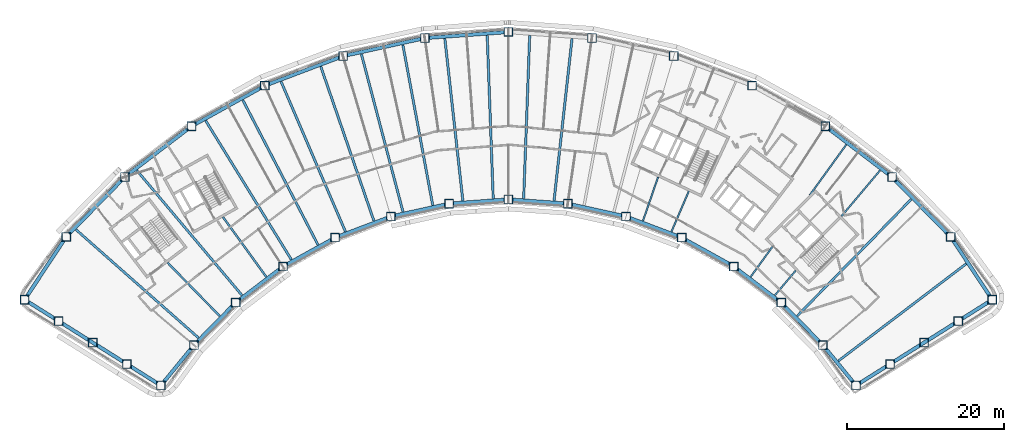
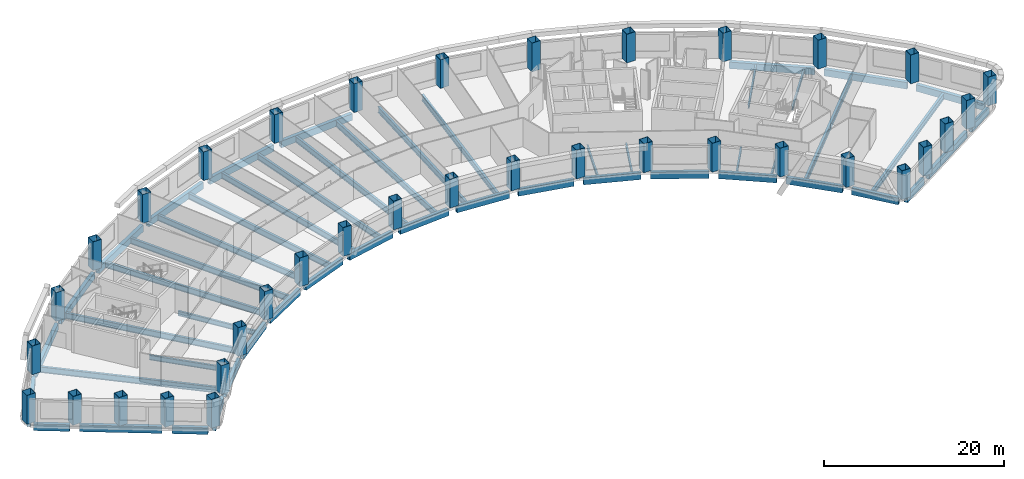
# One storey, part 1 of 11: 52 beams, 36 columns.
"""IFC4 building model written with IfcOpenShell, lengths in metres."""

from ifc_helpers import new_model, si_unit, direction, frame, origin, origin_2d, place, context, subcontext, project, spatial, hollow_rectangle, i_section, extrude, material, material_profile, profile_set, type_object, element, save


model = new_model("IFC4")

# Units and contexts
model_context = context("Model", 3, precision=1e-05, world=origin(), true_north=direction((0.0, 1.0)))
body_context = subcontext(model_context, "Body", "Model", "MODEL_VIEW")
ifc_project = project(units=[si_unit("LENGTHUNIT", "METRE"), si_unit("AREAUNIT", "SQUARE_METRE"), si_unit("VOLUMEUNIT", "CUBIC_METRE"), si_unit("PLANEANGLEUNIT", "RADIAN"), si_unit("MASSUNIT", "GRAM", prefix="KILO")], contexts=[model_context])

# Site, building, storey
site_placement = place(None, origin())
site = spatial("IfcSite", under=ifc_project, at=site_placement, CompositionType="ELEMENT")
building_placement = place(site_placement, origin())
building = spatial("IfcBuilding", under=site, at=building_placement, Name="Tuul Gate Civic Tower", CompositionType="ELEMENT")
storey_placement = place(building_placement, frame((0.0, 0.0, 120.300048828125)))
storey = spatial("IfcBuildingStorey", under=building, at=storey_placement, Name="Level 27", CompositionType="ELEMENT", Elevation=120.300048828125)

# Columns
ifc_material_1 = material(Name="Steel S355", Category="steel")
ifc_material_profile_1 = material_profile(ifc_material_1, hollow_rectangle(XDim=1.10009765625, YDim=1.10009765625, WallThickness=0.035888671875, at=origin_2d()), Name="BOX1100x1100x36")
ifc_profile_set_1 = profile_set([ifc_material_profile_1], Name="Steel S355")
column_type = type_object("IfcColumnType", Name="STR-COLUMN-BOX1100x1100x36", PredefinedType="COLUMN", material=ifc_profile_set_1)
for number, where, z_axis, x_axis, name in (
    (1, (71.5, -20.44189453125, 0.0), (0.0, 0.0, 1.0), (1.0, 0.0, 0.0), "Column"),
    (2, (66.200927734375, -12.428955078125, 0.0), (0.0, 0.0, 1.0), (1.0, 0.0, 0.0), "Column"),
    (3, (58.72607421875, -4.803955078125, 0.0), (0.0, 0.0, 1.0), (1.0, 0.0, 0.0), "Column"),
    (4, (50.23095703125, 1.6640625, 0.0), (0.0, 0.0, 1.0), (1.0, 0.0, 0.0), "Column"),
    (5, (40.89306640625, 6.840087890625, 0.0), (0.0, 0.0, 1.0), (1.0, 0.0, 0.0), "Column"),
    (6, (30.905029296875, 10.616943359375, 0.0), (0.0, 0.0, 1.0), (1.0, 0.0, 0.0), "Column"),
    (7, (20.47802734375, 12.9150390625, 0.0), (0.0, 0.0, 1.0), (1.0, 0.0, 0.0), "Column"),
    (8, (9.8291015625, 13.68603515625, 0.0), (0.0, 0.0, 1.0), (1.0, 0.0, 0.0), "Column"),
    (9, (-0.821044921875, 12.9150390625, 0.0), (0.0, 0.0, 1.0), (1.0, 0.0, 0.0), "Column"),
    (10, (-11.248046875, 10.616943359375, 0.0), (0.0, 0.0, 1.0), (1.0, 0.0, 0.0), "Column"),
    (11, (-21.235107421875, 6.840087890625, 0.0), (0.0, 0.0, 1.0), (1.0, 0.0, 0.0), "Column"),
    (12, (-30.573974609375, 1.6640625, 0.0), (0.0, 0.0, 1.0), (1.0, 0.0, 0.0), "Column"),
    (13, (-39.069091796875, -4.803955078125, 0.0), (0.0, 0.0, 1.0), (1.0, 0.0, 0.0), "Column"),
    (14, (-46.54296875, -12.428955078125, 0.0), (0.0, 0.0, 1.0), (1.0, 0.0, 0.0), "Column"),
    (15, (-51.842041015625, -20.44189453125, 0.0), (0.0, 0.0, 1.0), (1.0, 0.0, 0.0), "Column"),
    (16, (-47.5, -23.176025390625, 0.0), (0.0, 0.0, 1.0), (1.0, 0.0, 0.0), "Column"),
    (17, (-43.156982421875, -25.910888671875, 0.0), (0.0, 0.0, 1.0), (1.0, 0.0, 0.0), "Column"),
    (18, (-38.81494140625, -28.64599609375, 0.0), (0.0, 0.0, 1.0), (1.0, 0.0, 0.0), "Column"),
    (19, (-34.471923828125, -31.3798828125, 0.0), (0.0, 0.0, 1.0), (1.0, 0.0, 0.0), "Column"),
    (20, (-30.251953125, -26.238037109375, 0.0), (0.0, 0.0, 1.0), (1.0, 0.0, 0.0), "Column"),
    (21, (-24.93798828125, -20.81689453125, 0.0), (0.0, 0.0, 1.0), (1.0, 0.0, 0.0), "Column"),
    (22, (-18.89794921875, -16.218017578125, 0.0), (0.0, 0.0, 1.0), (1.0, 0.0, 0.0), "Column"),
    (23, (-12.258056640625, -12.537109375, 0.0), (0.0, 0.0, 1.0), (1.0, 0.0, 0.0), "Column"),
    (24, (-5.156982421875, -9.85205078125, 0.0), (0.0, 0.0, 1.0), (1.0, 0.0, 0.0), "Column"),
    (25, (2.257080078125, -8.218017578125, 0.0), (0.0, 0.0, 1.0), (1.0, 0.0, 0.0), "Column"),
    (26, (9.8291015625, -7.6689453125, 0.0), (0.0, 0.0, 1.0), (1.0, 0.0, 0.0), "Column"),
    (27, (17.40087890625, -8.218017578125, 0.0), (0.0, 0.0, 1.0), (1.0, 0.0, 0.0), "Column"),
    (28, (24.81494140625, -9.85205078125, 0.0), (0.0, 0.0, 1.0), (1.0, 0.0, 0.0), "Column"),
    (29, (31.9150390625, -12.537109375, 0.0), (0.0, 0.0, 1.0), (1.0, 0.0, 0.0), "Column"),
    (30, (38.554931640625, -16.218017578125, 0.0), (0.0, 0.0, 1.0), (1.0, 0.0, 0.0), "Column"),
    (31, (44.595947265625, -20.81689453125, 0.0), (0.0, 0.0, 1.0), (1.0, 0.0, 0.0), "Column"),
    (32, (49.909912109375, -26.238037109375, 0.0), (0.0, 0.0, 1.0), (1.0, 0.0, 0.0), "Column"),
    (33, (54.1298828125, -31.3798828125, 0.0), (0.0, 0.0, 1.0), (1.0, 0.0, 0.0), "Column"),
    (34, (58.471923828125, -28.64599609375, 0.0), (0.0, 0.0, 1.0), (1.0, 0.0, 0.0), "Column"),
    (35, (62.81494140625, -25.910888671875, 0.0), (0.0, 0.0, 1.0), (1.0, 0.0, 0.0), "Column"),
    (36, (67.156982421875, -23.176025390625, 0.0), (0.0, 0.0, 1.0), (1.0, 0.0, 0.0), "Column"),
):
    element("IfcColumn", number, at=place(storey_placement, frame(where, z_axis=z_axis, x_axis=x_axis)), inside=storey, type_object=column_type, Name=name, PredefinedType="COLUMN", context=body_context, shape_type="SweptSolid", body=[
        extrude(hollow_rectangle(XDim=1.10009765625, YDim=1.10009765625, WallThickness=0.035888671875, at=origin_2d()), origin(), (0.0, 0.0, 1.0), 3.89990234375),
    ])

# Beams
ifc_material_2 = material(Name="Steel S355", Category="steel")
ifc_material_profile_2 = material_profile(ifc_material_2, i_section(OverallWidth=0.199951171875, OverallDepth=0.5, WebThickness=0.010009765625, FlangeThickness=0.01611328125, at=origin_2d()), Name="PG500x200x10x16")
ifc_profile_set_2 = profile_set([ifc_material_profile_2], Name="Steel S355")
beam_type_1 = type_object("IfcBeamType", Name="STR-FLOOR BEAM-PG500x200x10x16", PredefinedType="BEAM", material=ifc_profile_set_2)
beam_1_placement = place(storey_placement, frame((43.78662109375, -19.88671875, -0.550048828125), z_axis=(0.644164873832, 0.764886668286, 0.0), x_axis=(-0.764886668286, 0.644164873832, 0.0)))
element("IfcBeam", 37, at=beam_1_placement, inside=storey, type_object=beam_type_1, Name="Floor beam", PredefinedType="BEAM", context=body_context, shape_type="SweptSolid", body=[
    extrude(i_section(OverallWidth=0.199951171875, OverallDepth=0.5, WebThickness=0.010009765625, FlangeThickness=0.01611328125, at=origin_2d()), origin(), (0.0, 0.0, 1.0), 4.129638671875),
])
beam_2_placement = place(storey_placement, frame((52.270263671875, -9.812255859375, -0.550048828125), z_axis=(0.644131817174, 0.764914506402, 0.0), x_axis=(-0.764914506402, 0.644131817174, 0.0)))
element("IfcBeam", 38, at=beam_2_placement, inside=storey, type_object=beam_type_1, Name="Floor beam", PredefinedType="BEAM", context=body_context, shape_type="SweptSolid", body=[
    extrude(i_section(OverallWidth=0.199951171875, OverallDepth=0.5, WebThickness=0.010009765625, FlangeThickness=0.01611328125, at=origin_2d()), origin(), (0.0, 0.0, 1.0), 7.65478515625),
])
beam_3_placement = place(storey_placement, frame((40.6982421875, -17.535400390625, -0.550048828125), z_axis=(0.586092436702, 0.810244195068, 0.0), x_axis=(-0.810244195068, 0.586092436702, 0.0)))
element("IfcBeam", 39, at=beam_3_placement, inside=storey, type_object=beam_type_1, Name="Floor beam", PredefinedType="BEAM", context=body_context, shape_type="SweptSolid", body=[
    extrude(i_section(OverallWidth=0.199951171875, OverallDepth=0.5, WebThickness=0.010009765625, FlangeThickness=0.01611328125, at=origin_2d()), origin(), (0.0, 0.0, 1.0), 4.73779296875),
])
beam_4_placement = place(storey_placement, frame((48.2353515625, -7.11572265625, -0.550048828125), z_axis=(0.586078163081, 0.810254519741, 0.0), x_axis=(-0.810254519741, 0.586078163081, 0.0)))
element("IfcBeam", 40, at=beam_4_placement, inside=storey, type_object=beam_type_1, Name="Floor beam", PredefinedType="BEAM", context=body_context, shape_type="SweptSolid", body=[
    extrude(i_section(OverallWidth=0.199951171875, OverallDepth=0.5, WebThickness=0.010009765625, FlangeThickness=0.01611328125, at=origin_2d()), origin(), (0.0, 0.0, 1.0), 7.94677734375),
])
beam_5_placement = place(storey_placement, frame((30.60546875, -11.7744140625, -0.550048828125), z_axis=(0.394202846621, 0.919023457653, 0.0), x_axis=(-0.919023457653, 0.394202846621, 0.0)))
element("IfcBeam", 41, at=beam_5_placement, inside=storey, type_object=beam_type_1, Name="Floor beam", PredefinedType="BEAM", context=body_context, shape_type="SweptSolid", body=[
    extrude(i_section(OverallWidth=0.199951171875, OverallDepth=0.5, WebThickness=0.010009765625, FlangeThickness=0.01611328125, at=origin_2d()), origin(), (0.0, 0.0, 1.0), 5.611083984375),
])
beam_6_placement = place(storey_placement, frame((26.97509765625, -10.401611328125, -0.550048828125), z_axis=(0.325486996398, 0.945546516664, 0.0), x_axis=(-0.945546516664, 0.325486996398, 0.0)))
element("IfcBeam", 42, at=beam_6_placement, inside=storey, type_object=beam_type_1, Name="Floor beam", PredefinedType="BEAM", context=body_context, shape_type="SweptSolid", body=[
    extrude(i_section(OverallWidth=0.199951171875, OverallDepth=0.5, WebThickness=0.010009765625, FlangeThickness=0.01611328125, at=origin_2d()), origin(), (0.0, 0.0, 1.0), 5.930908203125),
])
ifc_material_3 = material(Name="Steel S355", Category="steel")
ifc_material_profile_3 = material_profile(ifc_material_3, i_section(OverallWidth=0.25, OverallDepth=0.64990234375, WebThickness=0.011962890625, FlangeThickness=0.02001953125, at=origin_2d()), Name="PG650x250x12x20")
ifc_profile_set_3 = profile_set([ifc_material_profile_3], Name="Steel S355")
beam_type_2 = type_object("IfcBeamType", Name="STR-FLOOR BEAM-PG650x250x12x20", PredefinedType="BEAM", material=ifc_profile_set_3)
beam_7_placement = place(storey_placement, frame((-21.040771484375, -17.53515625, -0.625), z_axis=(-0.586071957424, 0.810259008417, 0.0), x_axis=(-0.810259008417, -0.586071957424, 0.0)))
element("IfcBeam", 43, at=beam_7_placement, inside=storey, type_object=beam_type_2, Name="Floor beam", PredefinedType="BEAM", context=body_context, shape_type="SweptSolid", body=[
    extrude(i_section(OverallWidth=0.25, OverallDepth=0.64990234375, WebThickness=0.011962890625, FlangeThickness=0.02001953125, at=origin_2d()), origin(), (0.0, 0.0, 1.0), 9.4111328125),
])
beam_8_placement = place(storey_placement, frame((-26.96923828125, -22.531982421875, -0.625), z_axis=(-0.698693179665, 0.715421442711, 0.0), x_axis=(-0.715421442711, -0.698693179665, 0.0)))
element("IfcBeam", 44, at=beam_8_placement, inside=storey, type_object=beam_type_2, Name="Floor beam", PredefinedType="BEAM", context=body_context, shape_type="SweptSolid", body=[
    extrude(i_section(OverallWidth=0.25, OverallDepth=0.64990234375, WebThickness=0.011962890625, FlangeThickness=0.02001953125, at=origin_2d()), origin(), (0.0, 0.0, 1.0), 9.5302734375),
])
ifc_material_4 = material(Name="Steel S355", Category="steel")
ifc_material_profile_4 = material_profile(ifc_material_4, i_section(OverallWidth=0.300048828125, OverallDepth=0.800048828125, WebThickness=0.013916015625, FlangeThickness=0.02490234375, at=origin_2d()), Name="PG800x300x14x25")
ifc_profile_set_4 = profile_set([ifc_material_profile_4], Name="Steel S355")
beam_type_3 = type_object("IfcBeamType", Name="STR-FLOOR BEAM-PG800x300x14x25", PredefinedType="BEAM", material=ifc_profile_set_4)
beam_9_placement = place(storey_placement, frame((51.8837890625, -28.2490234375, -0.699951171875), z_axis=(0.796146559843, 0.605103838403, 0.0), x_axis=(-0.605103838403, 0.796146559843, 0.0)))
element("IfcBeam", 45, at=beam_9_placement, inside=storey, type_object=beam_type_3, Name="Floor beam", PredefinedType="BEAM", context=body_context, shape_type="SweptSolid", body=[
    extrude(i_section(OverallWidth=0.300048828125, OverallDepth=0.800048828125, WebThickness=0.013916015625, FlangeThickness=0.02490234375, at=origin_2d()), origin(), (0.0, 0.0, 1.0), 20.46240234375),
])
beam_10_placement = place(storey_placement, frame((46.627197265625, -22.531982421875, -0.699951171875), z_axis=(0.698684495675, 0.715429923544, 0.0), x_axis=(-0.715429923544, 0.698684495675, 0.0)))
element("IfcBeam", 46, at=beam_10_placement, inside=storey, type_object=beam_type_3, Name="Floor beam", PredefinedType="BEAM", context=body_context, shape_type="SweptSolid", body=[
    extrude(i_section(OverallWidth=0.300048828125, OverallDepth=0.800048828125, WebThickness=0.013916015625, FlangeThickness=0.02490234375, at=origin_2d()), origin(), (0.0, 0.0, 1.0), 20.804931640625),
])
beam_11_placement = place(storey_placement, frame((15.64013671875, -7.839599609375, -0.699951171875), z_axis=(0.110288630292, 0.993899601584, 0.0), x_axis=(-0.993899601584, 0.110288630292, 0.0)))
element("IfcBeam", 47, at=beam_11_placement, inside=storey, type_object=beam_type_3, Name="Floor beam", PredefinedType="BEAM", context=body_context, shape_type="SweptSolid", body=[
    extrude(i_section(OverallWidth=0.300048828125, OverallDepth=0.800048828125, WebThickness=0.013916015625, FlangeThickness=0.02490234375, at=origin_2d()), origin(), (0.0, 0.0, 1.0), 20.81494140625),
])
for number, where, z_axis, x_axis, name in (
    (48, (11.769287109375, -7.55908203125, -0.699951171875), (0.036833774102, 0.999321406298, 0.0), (-0.999321406298, 0.036833774102, 0.0), "Floor beam"),
    (49, (7.888427734375, -7.55908203125, -0.699951171875), (-0.036822059508, 0.999321838015, 0.0), (-0.999321838015, -0.036822059508, 0.0), "Floor beam"),
):
    element("IfcBeam", number, at=place(storey_placement, frame(where, z_axis=z_axis, x_axis=x_axis)), inside=storey, type_object=beam_type_3, Name=name, PredefinedType="BEAM", context=body_context, shape_type="SweptSolid", body=[
        extrude(i_section(OverallWidth=0.300048828125, OverallDepth=0.800048828125, WebThickness=0.013916015625, FlangeThickness=0.02490234375, at=origin_2d()), origin(), (0.0, 0.0, 1.0), 20.8125),
    ])
beam_12_placement = place(storey_placement, frame((4.017578125, -7.839599609375, -0.699951171875), z_axis=(-0.110277043848, 0.993900887212, 0.0), x_axis=(-0.993900887212, -0.110277043848, 0.0)))
element("IfcBeam", 50, at=beam_12_placement, inside=storey, type_object=beam_type_3, Name="Floor beam", PredefinedType="BEAM", context=body_context, shape_type="SweptSolid", body=[
    extrude(i_section(OverallWidth=0.300048828125, OverallDepth=0.800048828125, WebThickness=0.013916015625, FlangeThickness=0.02490234375, at=origin_2d()), origin(), (0.0, 0.0, 1.0), 20.81494140625),
])
beam_13_placement = place(storey_placement, frame((0.180419921875, -8.419677734375, -0.699951171875), z_axis=(-0.183145230157, 0.983085868412, 0.0), x_axis=(-0.983085868412, -0.183145230157, 0.0)))
element("IfcBeam", 51, at=beam_13_placement, inside=storey, type_object=beam_type_3, Name="Floor beam", PredefinedType="BEAM", context=body_context, shape_type="SweptSolid", body=[
    extrude(i_section(OverallWidth=0.300048828125, OverallDepth=0.800048828125, WebThickness=0.013916015625, FlangeThickness=0.02490234375, at=origin_2d()), origin(), (0.0, 0.0, 1.0), 20.8115234375),
])
beam_14_placement = place(storey_placement, frame((-3.609619140625, -9.2548828125, -0.699951171875), z_axis=(-0.255004720301, 0.96693980817, 0.0), x_axis=(-0.96693980817, -0.255004720301, 0.0)))
element("IfcBeam", 52, at=beam_14_placement, inside=storey, type_object=beam_type_3, Name="Floor beam", PredefinedType="BEAM", context=body_context, shape_type="SweptSolid", body=[
    extrude(i_section(OverallWidth=0.300048828125, OverallDepth=0.800048828125, WebThickness=0.013916015625, FlangeThickness=0.02490234375, at=origin_2d()), origin(), (0.0, 0.0, 1.0), 20.817626953125),
])
beam_15_placement = place(storey_placement, frame((-7.3173828125, -10.401611328125, -0.699951171875), z_axis=(-0.325486974479, 0.945546524209, 0.0), x_axis=(-0.945546524209, -0.325486974479, 0.0)))
element("IfcBeam", 53, at=beam_15_placement, inside=storey, type_object=beam_type_3, Name="Floor beam", PredefinedType="BEAM", context=body_context, shape_type="SweptSolid", body=[
    extrude(i_section(OverallWidth=0.300048828125, OverallDepth=0.800048828125, WebThickness=0.013916015625, FlangeThickness=0.02490234375, at=origin_2d()), origin(), (0.0, 0.0, 1.0), 20.809326171875),
])
beam_16_placement = place(storey_placement, frame((-10.94775390625, -11.774169921875, -0.699951171875), z_axis=(-0.394200920337, 0.919024283904, 0.0), x_axis=(-0.919024283904, -0.394200920337, 0.0)))
element("IfcBeam", 54, at=beam_16_placement, inside=storey, type_object=beam_type_3, Name="Floor beam", PredefinedType="BEAM", context=body_context, shape_type="SweptSolid", body=[
    extrude(i_section(OverallWidth=0.300048828125, OverallDepth=0.800048828125, WebThickness=0.013916015625, FlangeThickness=0.02490234375, at=origin_2d()), origin(), (0.0, 0.0, 1.0), 20.8193359375),
])
beam_17_placement = place(storey_placement, frame((-14.442626953125, -13.462158203125, -0.699951171875), z_axis=(-0.460777059353, 0.887515916237, 0.0), x_axis=(-0.887515916237, -0.460777059353, 0.0)))
element("IfcBeam", 55, at=beam_17_placement, inside=storey, type_object=beam_type_3, Name="Floor beam", PredefinedType="BEAM", context=body_context, shape_type="SweptSolid", body=[
    extrude(i_section(OverallWidth=0.300048828125, OverallDepth=0.800048828125, WebThickness=0.013916015625, FlangeThickness=0.02490234375, at=origin_2d()), origin(), (0.0, 0.0, 1.0), 20.8076171875),
])
beam_18_placement = place(storey_placement, frame((-17.837158203125, -15.343994140625, -0.699951171875), z_axis=(-0.524856706834, 0.851190599861, 0.0), x_axis=(-0.851190599861, -0.524856706834, 0.0)))
element("IfcBeam", 56, at=beam_18_placement, inside=storey, type_object=beam_type_3, Name="Floor beam", PredefinedType="BEAM", context=body_context, shape_type="SweptSolid", body=[
    extrude(i_section(OverallWidth=0.300048828125, OverallDepth=0.800048828125, WebThickness=0.013916015625, FlangeThickness=0.02490234375, at=origin_2d()), origin(), (0.0, 0.0, 1.0), 20.82275390625),
])
beam_19_placement = place(storey_placement, frame((-24.12890625, -19.88671875, -0.699951171875), z_axis=(-0.644132135775, 0.764914238109, 0.0), x_axis=(-0.764914238109, -0.644132135775, 0.0)))
element("IfcBeam", 57, at=beam_19_placement, inside=storey, type_object=beam_type_3, Name="Floor beam", PredefinedType="BEAM", context=body_context, shape_type="SweptSolid", body=[
    extrude(i_section(OverallWidth=0.300048828125, OverallDepth=0.800048828125, WebThickness=0.013916015625, FlangeThickness=0.02490234375, at=origin_2d()), origin(), (0.0, 0.0, 1.0), 20.82568359375),
])
beam_20_placement = place(storey_placement, frame((-29.686767578125, -25.30419921875, -0.699951171875), z_axis=(-0.749447427269, 0.662063859277, 0.0), x_axis=(-0.662063859277, -0.749447427269, 0.0)))
element("IfcBeam", 58, at=beam_20_placement, inside=storey, type_object=beam_type_3, Name="Floor beam", PredefinedType="BEAM", context=body_context, shape_type="SweptSolid", body=[
    extrude(i_section(OverallWidth=0.300048828125, OverallDepth=0.800048828125, WebThickness=0.013916015625, FlangeThickness=0.02490234375, at=origin_2d()), origin(), (0.0, 0.0, 1.0), 20.82861328125),
])
ifc_material_5 = material(Name="Steel S355", Category="steel")
ifc_material_profile_5 = material_profile(ifc_material_5, hollow_rectangle(XDim=0.449951171875, YDim=0.89990234375, WallThickness=0.02490234375, at=origin_2d()), Name="BOX900x450x25")
ifc_profile_set_5 = profile_set([ifc_material_profile_5], Name="Steel S355")
beam_type_4 = type_object("IfcBeamType", Name="STR-SPANDREL BEAM-BOX900x450x25", PredefinedType="BEAM", material=ifc_profile_set_5)
beam_21_placement = place(storey_placement, frame((71.196533203125, -19.983154296875, -0.75), z_axis=(-0.551590080745, 0.83411532945, 0.0), x_axis=(-0.83411532945, -0.551590080745, 0.0)))
element("IfcBeam", 59, at=beam_21_placement, inside=storey, type_object=beam_type_4, Name="Spandrel beam", PredefinedType="BEAM", context=body_context, shape_type="SweptSolid", body=[
    extrude(hollow_rectangle(XDim=0.449951171875, YDim=0.89990234375, WallThickness=0.02490234375, at=origin_2d()), origin(), (0.0, 0.0, 1.0), 8.506591796875),
])
beam_22_placement = place(storey_placement, frame((65.81591796875, -12.0361328125, -0.75), z_axis=(-0.700049238086, 0.714094576548, 0.0), x_axis=(-0.714094576548, -0.700049238086, 0.0)))
element("IfcBeam", 60, at=beam_22_placement, inside=storey, type_object=beam_type_4, Name="Spandrel beam", PredefinedType="BEAM", context=body_context, shape_type="SweptSolid", body=[
    extrude(hollow_rectangle(XDim=0.449951171875, YDim=0.89990234375, WallThickness=0.02490234375, at=origin_2d()), origin(), (0.0, 0.0, 1.0), 9.57763671875),
])
beam_23_placement = place(storey_placement, frame((58.288330078125, -4.470703125, -0.75), z_axis=(-0.795628890165, 0.605784342101, 0.0), x_axis=(-0.605784342101, -0.795628890165, 0.0)))
element("IfcBeam", 61, at=beam_23_placement, inside=storey, type_object=beam_type_4, Name="Spandrel beam", PredefinedType="BEAM", context=body_context, shape_type="SweptSolid", body=[
    extrude(hollow_rectangle(XDim=0.449951171875, YDim=0.89990234375, WallThickness=0.02490234375, at=origin_2d()), origin(), (0.0, 0.0, 1.0), 9.576904296875),
])
beam_24_placement = place(storey_placement, frame((9.280517578125, 13.646240234375, -0.75), z_axis=(-0.997391103387, -0.072187165652, 0.0), x_axis=(0.072187165652, -0.997391103387, 0.0)))
element("IfcBeam", 62, at=beam_24_placement, inside=storey, type_object=beam_type_4, Name="Spandrel beam", PredefinedType="BEAM", context=body_context, shape_type="SweptSolid", body=[
    extrude(hollow_rectangle(XDim=0.449951171875, YDim=0.89990234375, WallThickness=0.02490234375, at=origin_2d()), origin(), (0.0, 0.0, 1.0), 9.577880859375),
])
for number, where, z_axis, x_axis, name in (
    (63, (-1.358154296875, 12.796630859375, -0.75), (-0.976564052188, -0.215226977802, 0.0), (0.215226977802, -0.976564052188, 0.0), "Spandrel beam"),
    (64, (-11.762451171875, 10.42236328125, -0.75), (-0.935349182436, -0.353725750994, 0.0), (0.353725750994, -0.935349182436, 0.0), "Spandrel beam"),
):
    element("IfcBeam", number, at=place(storey_placement, frame(where, z_axis=z_axis, x_axis=x_axis)), inside=storey, type_object=beam_type_4, Name=name, PredefinedType="BEAM", context=body_context, shape_type="SweptSolid", body=[
        extrude(hollow_rectangle(XDim=0.449951171875, YDim=0.89990234375, WallThickness=0.02490234375, at=origin_2d()), origin(), (0.0, 0.0, 1.0), 9.5771484375),
    ])
beam_25_placement = place(storey_placement, frame((-21.716064453125, 6.573486328125, -0.75), z_axis=(-0.874646210848, -0.484761803208, 0.0), x_axis=(0.484761803208, -0.874646210848, 0.0)))
element("IfcBeam", 65, at=beam_25_placement, inside=storey, type_object=beam_type_4, Name="Spandrel beam", PredefinedType="BEAM", context=body_context, shape_type="SweptSolid", body=[
    extrude(hollow_rectangle(XDim=0.449951171875, YDim=0.89990234375, WallThickness=0.02490234375, at=origin_2d()), origin(), (0.0, 0.0, 1.0), 9.57763671875),
])
beam_26_placement = place(storey_placement, frame((-31.011474609375, 1.330810546875, -0.75), z_axis=(-0.795638245076, -0.605772055292, 0.0), x_axis=(0.605772055292, -0.795638245076, 0.0)))
element("IfcBeam", 66, at=beam_26_placement, inside=storey, type_object=beam_type_4, Name="Spandrel beam", PredefinedType="BEAM", context=body_context, shape_type="SweptSolid", body=[
    extrude(hollow_rectangle(XDim=0.449951171875, YDim=0.89990234375, WallThickness=0.02490234375, at=origin_2d()), origin(), (0.0, 0.0, 1.0), 9.5771484375),
])
beam_27_placement = place(storey_placement, frame((-39.4541015625, -5.19677734375, -0.75), z_axis=(-0.699997238657, -0.714145549501, 0.0), x_axis=(0.714145549501, -0.699997238657, 0.0)))
element("IfcBeam", 67, at=beam_27_placement, inside=storey, type_object=beam_type_4, Name="Spandrel beam", PredefinedType="BEAM", context=body_context, shape_type="SweptSolid", body=[
    extrude(hollow_rectangle(XDim=0.449951171875, YDim=0.89990234375, WallThickness=0.02490234375, at=origin_2d()), origin(), (0.0, 0.0, 1.0), 9.576904296875),
])
beam_28_placement = place(storey_placement, frame((-46.846435546875, -12.8876953125, -0.75), z_axis=(-0.551590080745, -0.83411532945, 0.0), x_axis=(0.83411532945, -0.551590080745, 0.0)))
element("IfcBeam", 68, at=beam_28_placement, inside=storey, type_object=beam_type_4, Name="Spandrel beam", PredefinedType="BEAM", context=body_context, shape_type="SweptSolid", body=[
    extrude(hollow_rectangle(XDim=0.449951171875, YDim=0.89990234375, WallThickness=0.02490234375, at=origin_2d()), origin(), (0.0, 0.0, 1.0), 8.506591796875),
])
beam_29_placement = place(storey_placement, frame((-51.37646484375, -20.735107421875, -0.75), z_axis=(0.846210588651, -0.532848608571, 0.0), x_axis=(0.532848608571, 0.846210588651, 0.0)))
element("IfcBeam", 69, at=beam_29_placement, inside=storey, type_object=beam_type_4, Name="Spandrel beam", PredefinedType="BEAM", context=body_context, shape_type="SweptSolid", body=[
    extrude(hollow_rectangle(XDim=0.449951171875, YDim=0.89990234375, WallThickness=0.02490234375, at=origin_2d()), origin(), (0.0, 0.0, 1.0), 4.031005859375),
])
beam_30_placement = place(storey_placement, frame((-47.03466796875, -23.468994140625, -0.75), z_axis=(0.846164320765, -0.53292207898, 0.0), x_axis=(0.53292207898, 0.846164320765, 0.0)))
element("IfcBeam", 70, at=beam_30_placement, inside=storey, type_object=beam_type_4, Name="Spandrel beam", PredefinedType="BEAM", context=body_context, shape_type="SweptSolid", body=[
    extrude(hollow_rectangle(XDim=0.449951171875, YDim=0.89990234375, WallThickness=0.02490234375, at=origin_2d()), origin(), (0.0, 0.0, 1.0), 9.1640625),
])
beam_31_placement = place(storey_placement, frame((-38.349609375, -28.93896484375, -0.75), z_axis=(0.846279351523, -0.532739391435, 0.0), x_axis=(0.532739391435, 0.846279351523, 0.0)))
element("IfcBeam", 71, at=beam_31_placement, inside=storey, type_object=beam_type_4, Name="Spandrel beam", PredefinedType="BEAM", context=body_context, shape_type="SweptSolid", body=[
    extrude(hollow_rectangle(XDim=0.449951171875, YDim=0.89990234375, WallThickness=0.02490234375, at=origin_2d()), origin(), (0.0, 0.0, 1.0), 4.031982421875),
])
beam_32_placement = place(storey_placement, frame((-34.123046875, -30.954833984375, -0.75), z_axis=(0.634400839416, 0.773004252866, 0.0), x_axis=(-0.773004252866, 0.634400839416, 0.0)))
element("IfcBeam", 72, at=beam_32_placement, inside=storey, type_object=beam_type_4, Name="Spandrel beam", PredefinedType="BEAM", context=body_context, shape_type="SweptSolid", body=[
    extrude(hollow_rectangle(XDim=0.449951171875, YDim=0.89990234375, WallThickness=0.02490234375, at=origin_2d()), origin(), (0.0, 0.0, 1.0), 5.552001953125),
])
beam_33_placement = place(storey_placement, frame((-29.866943359375, -25.84521484375, -0.75), z_axis=(0.700019515807, 0.714123713014, 0.0), x_axis=(-0.714123713014, 0.700019515807, 0.0)))
element("IfcBeam", 73, at=beam_33_placement, inside=storey, type_object=beam_type_4, Name="Spandrel beam", PredefinedType="BEAM", context=body_context, shape_type="SweptSolid", body=[
    extrude(hollow_rectangle(XDim=0.449951171875, YDim=0.89990234375, WallThickness=0.02490234375, at=origin_2d()), origin(), (0.0, 0.0, 1.0), 6.4912109375),
])
beam_34_placement = place(storey_placement, frame((-24.50048828125, -20.48388671875, -0.75), z_axis=(0.795614709781, 0.605802965972, 0.0), x_axis=(-0.605802965972, 0.795614709781, 0.0)))
element("IfcBeam", 74, at=beam_34_placement, inside=storey, type_object=beam_type_4, Name="Spandrel beam", PredefinedType="BEAM", context=body_context, shape_type="SweptSolid", body=[
    extrude(hollow_rectangle(XDim=0.449951171875, YDim=0.89990234375, WallThickness=0.02490234375, at=origin_2d()), origin(), (0.0, 0.0, 1.0), 6.49169921875),
])
beam_35_placement = place(storey_placement, frame((-18.4169921875, -15.951416015625, -0.75), z_axis=(0.874596833749, 0.484850882639, 0.0), x_axis=(-0.484850882639, 0.874596833749, 0.0)))
element("IfcBeam", 75, at=beam_35_placement, inside=storey, type_object=beam_type_4, Name="Spandrel beam", PredefinedType="BEAM", context=body_context, shape_type="SweptSolid", body=[
    extrude(hollow_rectangle(XDim=0.449951171875, YDim=0.89990234375, WallThickness=0.02490234375, at=origin_2d()), origin(), (0.0, 0.0, 1.0), 6.4921875),
])
beam_36_placement = place(storey_placement, frame((-11.74365234375, -12.342529296875, -0.75), z_axis=(0.935373699363, 0.353660914635, 0.0), x_axis=(-0.353660914635, 0.935373699363, 0.0)))
element("IfcBeam", 76, at=beam_36_placement, inside=storey, type_object=beam_type_4, Name="Spandrel beam", PredefinedType="BEAM", context=body_context, shape_type="SweptSolid", body=[
    extrude(hollow_rectangle(XDim=0.449951171875, YDim=0.89990234375, WallThickness=0.02490234375, at=origin_2d()), origin(), (0.0, 0.0, 1.0), 6.49169921875),
])
for number, where, z_axis, x_axis, name in (
    (77, (-4.619873046875, -9.733642578125, -0.75), (0.976565169857, 0.215221906465, 0.0), (-0.215221906465, 0.976565169857, 0.0), "Spandrel beam"),
    (78, (2.8056640625, -8.17822265625, -0.75), (0.99738157331, 0.072318719712, 0.0), (-0.072318719712, 0.99738157331, 0.0), "Spandrel beam"),
):
    element("IfcBeam", number, at=place(storey_placement, frame(where, z_axis=z_axis, x_axis=x_axis)), inside=storey, type_object=beam_type_4, Name=name, PredefinedType="BEAM", context=body_context, shape_type="SweptSolid", body=[
        extrude(hollow_rectangle(XDim=0.449951171875, YDim=0.89990234375, WallThickness=0.02490234375, at=origin_2d()), origin(), (0.0, 0.0, 1.0), 6.491943359375),
    ])
beam_37_placement = place(storey_placement, frame((10.37744140625, -7.708740234375, -0.75), z_axis=(0.997381769985, -0.072316007227, 0.0), x_axis=(0.072316007227, 0.997381769985, 0.0)))
element("IfcBeam", 79, at=beam_37_placement, inside=storey, type_object=beam_type_4, Name="Spandrel beam", PredefinedType="BEAM", context=body_context, shape_type="SweptSolid", body=[
    extrude(hollow_rectangle(XDim=0.449951171875, YDim=0.89990234375, WallThickness=0.02490234375, at=origin_2d()), origin(), (0.0, 0.0, 1.0), 6.4921875),
])
beam_38_placement = place(storey_placement, frame((17.93798828125, -8.33642578125, -0.75), z_axis=(0.976565169857, -0.215221906465, 0.0), x_axis=(0.215221906465, 0.976565169857, 0.0)))
element("IfcBeam", 80, at=beam_38_placement, inside=storey, type_object=beam_type_4, Name="Spandrel beam", PredefinedType="BEAM", context=body_context, shape_type="SweptSolid", body=[
    extrude(hollow_rectangle(XDim=0.449951171875, YDim=0.89990234375, WallThickness=0.02490234375, at=origin_2d()), origin(), (0.0, 0.0, 1.0), 6.491943359375),
])
beam_39_placement = place(storey_placement, frame((25.329345703125, -10.046630859375, -0.75), z_axis=(0.935354880203, -0.353710684149, 0.0), x_axis=(0.353710684149, 0.935354880203, 0.0)))
element("IfcBeam", 81, at=beam_39_placement, inside=storey, type_object=beam_type_4, Name="Spandrel beam", PredefinedType="BEAM", context=body_context, shape_type="SweptSolid", body=[
    extrude(hollow_rectangle(XDim=0.449951171875, YDim=0.89990234375, WallThickness=0.02490234375, at=origin_2d()), origin(), (0.0, 0.0, 1.0), 6.490966796875),
])
beam_40_placement = place(storey_placement, frame((32.39599609375, -12.8037109375, -0.75), z_axis=(0.874596833749, -0.484850882639, 0.0), x_axis=(0.484850882639, 0.874596833749, 0.0)))
element("IfcBeam", 82, at=beam_40_placement, inside=storey, type_object=beam_type_4, Name="Spandrel beam", PredefinedType="BEAM", context=body_context, shape_type="SweptSolid", body=[
    extrude(hollow_rectangle(XDim=0.449951171875, YDim=0.89990234375, WallThickness=0.02490234375, at=origin_2d()), origin(), (0.0, 0.0, 1.0), 6.4921875),
])
beam_41_placement = place(storey_placement, frame((38.99267578125, -16.55126953125, -0.75), z_axis=(0.79566990921, -0.605730464462, 0.0), x_axis=(0.605730464462, 0.79566990921, 0.0)))
element("IfcBeam", 83, at=beam_41_placement, inside=storey, type_object=beam_type_4, Name="Spandrel beam", PredefinedType="BEAM", context=body_context, shape_type="SweptSolid", body=[
    extrude(hollow_rectangle(XDim=0.449951171875, YDim=0.89990234375, WallThickness=0.02490234375, at=origin_2d()), origin(), (0.0, 0.0, 1.0), 6.492431640625),
])
beam_42_placement = place(storey_placement, frame((44.98095703125, -21.209716796875, -0.75), z_axis=(0.700019515807, -0.714123713014, 0.0), x_axis=(0.714123713014, 0.700019515807, 0.0)))
element("IfcBeam", 84, at=beam_42_placement, inside=storey, type_object=beam_type_4, Name="Spandrel beam", PredefinedType="BEAM", context=body_context, shape_type="SweptSolid", body=[
    extrude(hollow_rectangle(XDim=0.449951171875, YDim=0.89990234375, WallThickness=0.02490234375, at=origin_2d()), origin(), (0.0, 0.0, 1.0), 6.4912109375),
])
beam_43_placement = place(storey_placement, frame((50.259033203125, -26.6630859375, -0.75), z_axis=(0.634374562786, -0.773025817221, 0.0), x_axis=(0.773025817221, 0.634374562786, 0.0)))
element("IfcBeam", 85, at=beam_43_placement, inside=storey, type_object=beam_type_4, Name="Spandrel beam", PredefinedType="BEAM", context=body_context, shape_type="SweptSolid", body=[
    extrude(hollow_rectangle(XDim=0.449951171875, YDim=0.89990234375, WallThickness=0.02490234375, at=origin_2d()), origin(), (0.0, 0.0, 1.0), 5.552001953125),
])
beam_44_placement = place(storey_placement, frame((54.595458984375, -31.0869140625, -0.75), z_axis=(0.846210588651, 0.532848608571, 0.0), x_axis=(-0.532848608571, 0.846210588651, 0.0)))
element("IfcBeam", 86, at=beam_44_placement, inside=storey, type_object=beam_type_4, Name="Spandrel beam", PredefinedType="BEAM", context=body_context, shape_type="SweptSolid", body=[
    extrude(hollow_rectangle(XDim=0.449951171875, YDim=0.89990234375, WallThickness=0.02490234375, at=origin_2d()), origin(), (0.0, 0.0, 1.0), 4.031005859375),
])
beam_45_placement = place(storey_placement, frame((58.9375, -28.352783203125, -0.75), z_axis=(0.84615675437, 0.53293409258, 0.0), x_axis=(-0.53293409258, 0.84615675437, 0.0)))
element("IfcBeam", 87, at=beam_45_placement, inside=storey, type_object=beam_type_4, Name="Spandrel beam", PredefinedType="BEAM", context=body_context, shape_type="SweptSolid", body=[
    extrude(hollow_rectangle(XDim=0.449951171875, YDim=0.89990234375, WallThickness=0.02490234375, at=origin_2d()), origin(), (0.0, 0.0, 1.0), 9.1640625),
])
beam_46_placement = place(storey_placement, frame((67.62255859375, -22.883056640625, -0.75), z_axis=(0.846279351523, 0.532739391435, 0.0), x_axis=(-0.532739391435, 0.846279351523, 0.0)))
element("IfcBeam", 88, at=beam_46_placement, inside=storey, type_object=beam_type_4, Name="Spandrel beam", PredefinedType="BEAM", context=body_context, shape_type="SweptSolid", body=[
    extrude(hollow_rectangle(XDim=0.449951171875, YDim=0.89990234375, WallThickness=0.02490234375, at=origin_2d()), origin(), (0.0, 0.0, 1.0), 4.031982421875),
])

save(model, "model.ifc")
